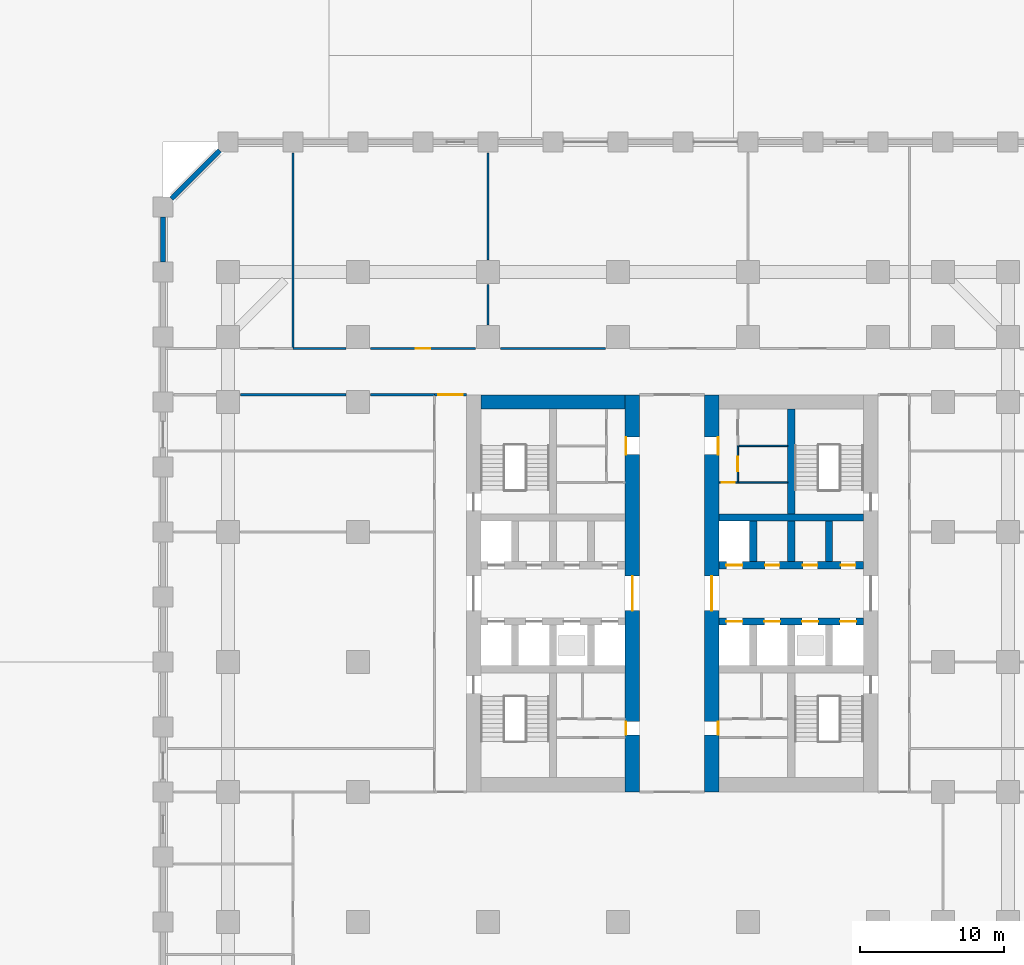
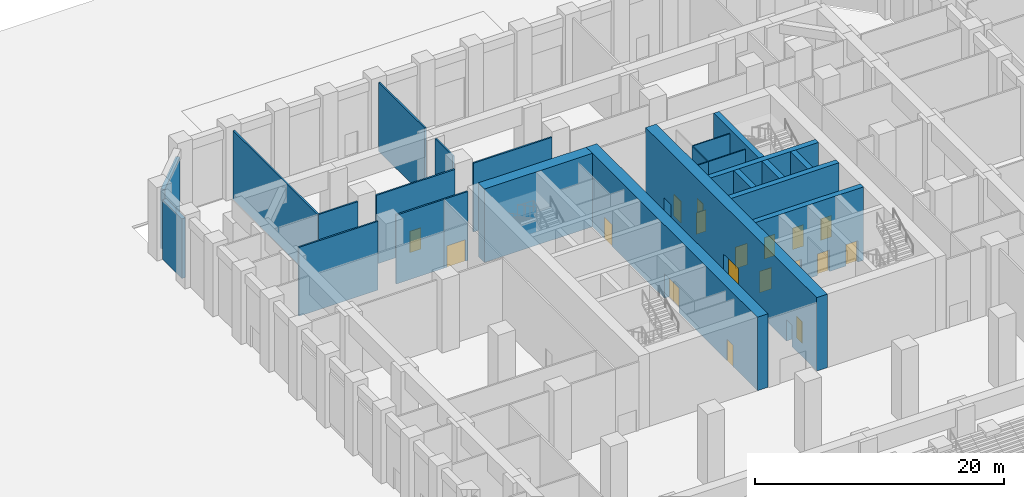
# One storey, part 14 of 30: 25 walls, 18 doors, 18 openings.
"""IFC4 building model written with IfcOpenShell, lengths in metres."""

from ifc_helpers import new_model, si_unit, direction, frame, frame_2d, origin, place, context, subcontext, project, spatial, rectangle, extrude, material, layer, layer_set, type_object, element, fill, save


model = new_model("IFC4")

# Units and contexts
model_context = context("Model", 3, precision=1e-05, world=origin(), true_north=direction((0.0, 1.0)))
body_context = subcontext(model_context, "Body", "Model", "MODEL_VIEW")
ifc_project = project(units=[si_unit("LENGTHUNIT", "METRE"), si_unit("AREAUNIT", "SQUARE_METRE"), si_unit("VOLUMEUNIT", "CUBIC_METRE"), si_unit("PLANEANGLEUNIT", "RADIAN"), si_unit("MASSUNIT", "GRAM", prefix="KILO")], contexts=[model_context])

# Site, building, storey
site_placement = place(None, origin())
site = spatial("IfcSite", under=ifc_project, at=site_placement, CompositionType="ELEMENT")
building_placement = place(site_placement, origin())
building = spatial("IfcBuilding", under=site, at=building_placement, Name="Corbel Stack Research Tower", CompositionType="ELEMENT")
storey_placement = place(building_placement, origin())
storey = spatial("IfcBuildingStorey", under=building, at=storey_placement, Name="L00", CompositionType="ELEMENT", Elevation=0.0)

# Wall, opening, door
ifc_material_1 = material(Name="Concrete block", Category="concrete")
ifc_layer_1 = layer(ifc_material_1, 0.14990234375)
ifc_layer_set_1 = layer_set([ifc_layer_1], Name="Concrete block")
wall_type_1 = type_object("IfcWallType", Name="Base partition 150 L00", PredefinedType="PARTITIONING", material=ifc_layer_set_1)
wall_1_placement = place(storey_placement, frame((-12.699951171875, 18.5, 0.0), z_axis=(0.0, 0.0, 1.0), x_axis=(1.0, 0.0, 0.0)))
wall_1 = element("IfcWall", 1, at=wall_1_placement, inside=storey, type_object=wall_type_1, Name="Partition L00", PredefinedType="PARTITIONING", context=body_context, shape_type="SweptSolid", body=[
    extrude(rectangle(XDim=2.199951171875, YDim=0.14990234375, at=frame_2d((1.10009765625, 0.0))), origin(), (0.0, 0.0, 1.0), 6.75),
])
opening_1_placement = place(wall_1_placement, frame((0.25, 0.0, 0.0)))
opening_1 = element("IfcOpeningElement", 2, at=opening_1_placement, cuts=wall_1, Name="Opening BD-L00-20", PredefinedType="OPENING", context=body_context, shape_type="SweptSolid", body=[
    extrude(rectangle(XDim=1.699951171875, YDim=2.10009765625, at=frame_2d((0.85009765625, 1.050048828125))), frame((0.0, 0.0849609375, 0.0), z_axis=(0.0, -1.0, 0.0), x_axis=(1.0, 0.0, 0.0)), (0.0, 0.0, 1.0), 0.169921875),
])
ifc_material_2 = material(Name="Painted steel fire door", Category="steel")
door_type_1 = type_object("IfcDoorType", Name="Lobby door pair 1700 x 2100 FD30S", OperationType="DOUBLE_DOOR_DOUBLE_SWING", PredefinedType="DOOR", material=ifc_material_2)
door_1_placement = place(opening_1_placement, origin())
door_1 = element("IfcDoor", 3, at=door_1_placement, inside=storey, type_object=door_type_1, Name="Stair vestibule west to Service corridor opening", OperationType="DOUBLE_DOOR_DOUBLE_SWING", OverallHeight=2.10009765625, OverallWidth=1.699951171875, PredefinedType="DOOR", context=body_context, shape_type="SweptSolid", body=[
    extrude(rectangle(XDim=1.699951171875, YDim=2.10009765625, at=frame_2d((0.85009765625, 1.050048828125))), frame((0.0, 0.02490234375, 0.0), z_axis=(0.0, -1.0, 0.0), x_axis=(1.0, 0.0, 0.0)), (0.0, 0.0, 1.0), 0.050048828125),
])
fill(opening_1, door_1)

# Walls
wall_2_placement = place(storey_placement, frame((-17.14990234375, 18.5, 0.0), z_axis=(0.0, 0.0, 1.0), x_axis=(1.0, 0.0, 0.0)))
element("IfcWall", 4, at=wall_2_placement, inside=storey, type_object=wall_type_1, Name="Partition L00", PredefinedType="PARTITIONING", context=body_context, shape_type="SweptSolid", body=[
    extrude(rectangle(XDim=4.449951171875, YDim=0.14990234375, at=frame_2d((2.22509765625, 0.0))), origin(), (0.0, 0.0, 1.0), 6.75),
])
wall_3_placement = place(storey_placement, frame((-26.14990234375, 18.5, 0.0), z_axis=(0.0, 0.0, 1.0), x_axis=(1.0, 0.0, 0.0)))
element("IfcWall", 5, at=wall_3_placement, inside=storey, type_object=wall_type_1, Name="Partition L00", PredefinedType="PARTITIONING", context=body_context, shape_type="SweptSolid", body=[
    extrude(rectangle(XDim=7.2998046875, YDim=0.14990234375, at=frame_2d((3.64990234375, 0.0))), origin(), (0.0, 0.0, 1.0), 6.75),
])

# Wall, opening, door
wall_4_placement = place(storey_placement, frame((-17.14990234375, 21.699951171875, 0.0), z_axis=(0.0, 0.0, 1.0), x_axis=(1.0, 0.0, 0.0)))
wall_4 = element("IfcWall", 6, at=wall_4_placement, inside=storey, type_object=wall_type_1, Name="Partition L00", PredefinedType="PARTITIONING", context=body_context, shape_type="SweptSolid", body=[
    extrude(rectangle(XDim=7.2998046875, YDim=0.14990234375, at=frame_2d((3.64990234375, 0.0))), origin(), (0.0, 0.0, 1.0), 6.75),
])
opening_2_placement = place(wall_4_placement, frame((3.14990234375, 0.0, 0.0)))
opening_2 = element("IfcOpeningElement", 7, at=opening_2_placement, cuts=wall_4, Name="Opening BD-L00-11", PredefinedType="OPENING", context=body_context, shape_type="SweptSolid", body=[
    extrude(rectangle(XDim=1.0, YDim=2.10009765625, at=frame_2d((0.5, 1.050048828125))), frame((0.0, 0.0849609375, 0.0), z_axis=(0.0, -1.0, 0.0), x_axis=(1.0, 0.0, 0.0)), (0.0, 0.0, 1.0), 0.169921875),
])
ifc_material_3 = material(Name="Painted steel door", Category="steel")
door_type_2 = type_object("IfcDoorType", Name="Service door 1000 x 2100 FD60 left hand", OperationType="SINGLE_SWING_LEFT", PredefinedType="DOOR", material=ifc_material_3)
door_2_placement = place(opening_2_placement, origin())
door_2 = element("IfcDoor", 8, at=door_2_placement, inside=storey, type_object=door_type_2, Name="Laboratory consumables store door", OperationType="SINGLE_SWING_LEFT", OverallHeight=2.10009765625, OverallWidth=1.0, PredefinedType="DOOR", context=body_context, shape_type="SweptSolid", body=[
    extrude(rectangle(XDim=1.0, YDim=2.10009765625, at=frame_2d((0.5, 1.050048828125))), frame((0.0, 0.02490234375, 0.0), z_axis=(0.0, -1.0, 0.0), x_axis=(1.0, 0.0, 0.0)), (0.0, 0.0, 1.0), 0.050048828125),
])
fill(opening_2, door_2)

# Walls
wall_5_placement = place(storey_placement, frame((-22.5, 21.699951171875, 0.0), z_axis=(0.0, 0.0, 1.0), x_axis=(1.0, 0.0, 0.0)))
element("IfcWall", 9, at=wall_5_placement, inside=storey, type_object=wall_type_1, Name="Partition L00", PredefinedType="PARTITIONING", context=body_context, shape_type="SweptSolid", body=[
    extrude(rectangle(XDim=3.64990234375, YDim=0.14990234375, at=frame_2d((1.824951171875, 0.0))), origin(), (0.0, 0.0, 1.0), 6.75),
])
wall_6_placement = place(storey_placement, frame((-8.14990234375, 21.699951171875, 0.0), z_axis=(0.0, 0.0, 1.0), x_axis=(1.0, 0.0, 0.0)))
element("IfcWall", 10, at=wall_6_placement, inside=storey, type_object=wall_type_1, Name="Partition L00", PredefinedType="PARTITIONING", context=body_context, shape_type="SweptSolid", body=[
    extrude(rectangle(XDim=7.2998046875, YDim=0.14990234375, at=frame_2d((3.64990234375, 0.0))), origin(), (0.0, 0.0, 1.0), 6.75),
])
wall_7_placement = place(storey_placement, frame((-22.5, 21.699951171875, 0.0), z_axis=(0.0, 0.0, 1.0), x_axis=(0.0, 1.0, 0.0)))
element("IfcWall", 11, at=wall_7_placement, inside=storey, type_object=wall_type_1, Name="Partition L00", PredefinedType="PARTITIONING", context=body_context, shape_type="SweptSolid", body=[
    extrude(rectangle(XDim=13.550048828125, YDim=0.14990234375, at=frame_2d((6.77490234375, 0.0))), origin(), (0.0, 0.0, 1.0), 6.75),
])
wall_8_placement = place(storey_placement, frame((-9.0, 23.35009765625, 0.0), z_axis=(0.0, 0.0, 1.0), x_axis=(0.0, 1.0, 0.0)))
element("IfcWall", 12, at=wall_8_placement, inside=storey, type_object=wall_type_1, Name="Partition L00", PredefinedType="PARTITIONING", context=body_context, shape_type="SweptSolid", body=[
    extrude(rectangle(XDim=2.7998046875, YDim=0.14990234375, at=frame_2d((1.39990234375, 0.0))), origin(), (0.0, 0.0, 1.0), 6.75),
])
wall_9_placement = place(storey_placement, frame((-9.0, 27.85009765625, 0.0), z_axis=(0.0, 0.0, 1.0), x_axis=(0.0, 1.0, 0.0)))
element("IfcWall", 13, at=wall_9_placement, inside=storey, type_object=wall_type_1, Name="Partition L00", PredefinedType="PARTITIONING", context=body_context, shape_type="SweptSolid", body=[
    extrude(rectangle(XDim=7.39990234375, YDim=0.14990234375, at=frame_2d((3.699951171875, 0.0))), origin(), (0.0, 0.0, 1.0), 6.75),
])
ifc_material_4 = material(Name="Concrete C45/55", Category="concrete")
ifc_layer_2 = layer(ifc_material_4, 0.35009765625)
ifc_layer_set_2 = layer_set([ifc_layer_2], Name="Concrete C45/55")
wall_type_2 = type_object("IfcWallType", Name="Board-marked concrete wall 350", PredefinedType="SOLIDWALL", material=ifc_layer_set_2)
wall_10_placement = place(storey_placement, frame((-30.923583984375, 32.076416015625, 0.0), z_axis=(0.0, 0.0, 1.0), x_axis=(0.707106781187, 0.707106781187, 0.0)))
element("IfcWall", 14, at=wall_10_placement, inside=storey, type_object=wall_type_2, Name="Facade wall L00 NW01", PredefinedType="SOLIDWALL", context=body_context, shape_type="SweptSolid", body=[
    extrude(rectangle(XDim=4.733642578125, YDim=0.35009765625, at=frame_2d((2.36669921875, 0.0))), origin(), (0.0, 0.0, 1.0), 5.85009765625),
])
wall_11_placement = place(storey_placement, frame((-31.5, 27.699951171875, 0.0), z_axis=(0.0, 0.0, 1.0), x_axis=(0.0, 1.0, 0.0)))
element("IfcWall", 15, at=wall_11_placement, inside=storey, type_object=wall_type_2, Name="Facade wall L00 W01", PredefinedType="SOLIDWALL", context=body_context, shape_type="SweptSolid", body=[
    extrude(rectangle(XDim=3.10009765625, YDim=0.35009765625, at=frame_2d((1.550048828125, 0.0))), origin(), (0.0, 0.0, 1.0), 5.85009765625),
])

# Wall, openings, doors
ifc_material_5 = material(Name="Concrete C70/85", Category="concrete")
ifc_layer_3 = layer(ifc_material_5, 1.0)
ifc_layer_set_3 = layer_set([ifc_layer_3], Name="Concrete C70/85")
wall_type_3 = type_object("IfcWallType", Name="CW-1000-70", PredefinedType="SHEAR", material=ifc_layer_set_3)
wall_12_placement = place(storey_placement, frame((1.0, -9.0, 0.0), z_axis=(0.0, 0.0, 1.0), x_axis=(0.0, 1.0, 0.0)))
wall_12 = element("IfcWall", 16, at=wall_12_placement, inside=storey, type_object=wall_type_3, Name="West core wall, east face L00", PredefinedType="SHEAR", context=body_context, shape_type="SweptSolid", body=[
    extrude(rectangle(XDim=27.5, YDim=1.0, at=frame_2d((13.75, 0.0))), origin(), (0.0, 0.0, 1.0), 7.199951171875),
])
opening_3_placement = place(wall_12_placement, frame((12.550048828125, 0.0, 0.0)))
opening_3 = element("IfcOpeningElement", 17, at=opening_3_placement, cuts=wall_12, Name="Opening CD-W-E", PredefinedType="OPENING", context=body_context, shape_type="SweptSolid", body=[
    extrude(rectangle(XDim=2.39990234375, YDim=2.39990234375, at=frame_2d((1.199951171875, 1.199951171875))), frame((0.0, 0.510009765625, 0.0), z_axis=(0.0, -1.0, 0.0), x_axis=(1.0, 0.0, 0.0)), (0.0, 0.0, 1.0), 1.02001953125),
])
opening_4_placement = place(wall_12_placement, frame((3.955078125, 0.0, 0.0)))
opening_4 = element("IfcOpeningElement", 18, at=opening_4_placement, cuts=wall_12, Name="Opening CR-W24-W1-905", PredefinedType="OPENING", context=body_context, shape_type="SweptSolid", body=[
    extrude(rectangle(XDim=0.905029296875, YDim=2.10009765625, at=frame_2d((0.45263671875, 1.050048828125))), frame((0.0, 0.510009765625, 0.0), z_axis=(0.0, -1.0, 0.0), x_axis=(1.0, 0.0, 0.0)), (0.0, 0.0, 1.0), 1.02001953125),
])
opening_5_placement = place(wall_12_placement, frame((23.362548828125, 0.0, 0.0)))
opening_5 = element("IfcOpeningElement", 19, at=opening_5_placement, cuts=wall_12, Name="Opening CR-W24-R2-1200", PredefinedType="OPENING", context=body_context, shape_type="SweptSolid", body=[
    extrude(rectangle(XDim=1.199951171875, YDim=2.10009765625, at=frame_2d((0.60009765625, 1.050048828125))), frame((0.0, 0.510009765625, 0.0), z_axis=(0.0, -1.0, 0.0), x_axis=(1.0, 0.0, 0.0)), (0.0, 0.0, 1.0), 1.02001953125),
])
ifc_material_6 = material(Name="Painted steel fire door", Category="steel")
door_type_3 = type_object("IfcDoorType", Name="Lobby door pair 2400 x 2400 FD30S", OperationType="DOUBLE_DOOR_DOUBLE_SWING", PredefinedType="DOOR", material=ifc_material_6)
door_3_placement = place(opening_3_placement, origin())
door_3 = element("IfcDoor", 20, at=door_3_placement, inside=storey, type_object=door_type_3, Name="Lift lobby door W core E", OperationType="DOUBLE_DOOR_DOUBLE_SWING", OverallHeight=2.39990234375, OverallWidth=2.39990234375, PredefinedType="DOOR", context=body_context, shape_type="SweptSolid", body=[
    extrude(rectangle(XDim=2.39990234375, YDim=2.39990234375, at=frame_2d((1.199951171875, 1.199951171875))), frame((0.0, 0.02490234375, 0.0), z_axis=(0.0, -1.0, 0.0), x_axis=(1.0, 0.0, 0.0)), (0.0, 0.0, 1.0), 0.050048828125),
])
fill(opening_3, door_3)
ifc_material_7 = material(Name="Painted steel door", Category="steel")
door_type_4 = type_object("IfcDoorType", Name="Service door 1200 x 2100 FD30 right hand", OperationType="SINGLE_SWING_RIGHT", PredefinedType="DOOR", material=ifc_material_7)
door_4_placement = place(opening_5_placement, origin())
door_4 = element("IfcDoor", 21, at=door_4_placement, inside=storey, type_object=door_type_4, Name="Service passage door W core", OperationType="SINGLE_SWING_RIGHT", OverallHeight=2.10009765625, OverallWidth=1.199951171875, PredefinedType="DOOR", context=body_context, shape_type="SweptSolid", body=[
    extrude(rectangle(XDim=1.199951171875, YDim=2.10009765625, at=frame_2d((0.60009765625, 1.050048828125))), frame((0.0, 0.47509765625, 0.0), z_axis=(0.0, -1.0, 0.0), x_axis=(1.0, 0.0, 0.0)), (0.0, 0.0, 1.0), 0.050048828125),
])
fill(opening_5, door_4)
ifc_material_8 = material(Name="Painted timber door", Category="wood")
door_type_5 = type_object("IfcDoorType", Name="WC door 905 x 2100 left hand", OperationType="SINGLE_SWING_LEFT", PredefinedType="DOOR", material=ifc_material_8)
door_5_placement = place(opening_4_placement, origin())
door_5 = element("IfcDoor", 22, at=door_5_placement, inside=storey, type_object=door_type_5, Name="WC lobby door W core", OperationType="SINGLE_SWING_LEFT", OverallHeight=2.10009765625, OverallWidth=0.905029296875, PredefinedType="DOOR", context=body_context, shape_type="SweptSolid", body=[
    extrude(rectangle(XDim=0.905029296875, YDim=2.10009765625, at=frame_2d((0.45263671875, 1.050048828125))), frame((0.0, 0.47509765625, 0.0), z_axis=(0.0, -1.0, 0.0), x_axis=(1.0, 0.0, 0.0)), (0.0, 0.0, 1.0), 0.050048828125),
])
fill(opening_4, door_5)

# Wall
wall_13_placement = place(storey_placement, frame((-9.5, 18.0, 0.0), z_axis=(0.0, 0.0, 1.0), x_axis=(1.0, 0.0, 0.0)))
element("IfcWall", 23, at=wall_13_placement, inside=storey, type_object=wall_type_3, Name="West core wall, north end L00", PredefinedType="SHEAR", context=body_context, shape_type="SweptSolid", body=[
    extrude(rectangle(XDim=10.0, YDim=1.0, at=frame_2d((5.0, 0.0))), origin(), (0.0, 0.0, 1.0), 7.199951171875),
])

# Wall, openings, doors
wall_14_placement = place(storey_placement, frame((6.5, -9.0, 0.0), z_axis=(0.0, 0.0, 1.0), x_axis=(0.0, 1.0, 0.0)))
wall_14 = element("IfcWall", 24, at=wall_14_placement, inside=storey, type_object=wall_type_3, Name="East core wall, west face L00", PredefinedType="SHEAR", context=body_context, shape_type="SweptSolid", body=[
    extrude(rectangle(XDim=27.5, YDim=1.0, at=frame_2d((13.75, 0.0))), origin(), (0.0, 0.0, 1.0), 7.199951171875),
])
opening_6_placement = place(wall_14_placement, frame((12.550048828125, 0.0, 0.0)))
opening_6 = element("IfcOpeningElement", 25, at=opening_6_placement, cuts=wall_14, Name="Opening CD-E-W", PredefinedType="OPENING", context=body_context, shape_type="SweptSolid", body=[
    extrude(rectangle(XDim=2.39990234375, YDim=2.39990234375, at=frame_2d((1.199951171875, 1.199951171875))), frame((0.0, 0.510009765625, 0.0), z_axis=(0.0, -1.0, 0.0), x_axis=(1.0, 0.0, 0.0)), (0.0, 0.0, 1.0), 1.02001953125),
])
opening_7_placement = place(wall_14_placement, frame((3.955078125, 0.0, 0.0)))
opening_7 = element("IfcOpeningElement", 26, at=opening_7_placement, cuts=wall_14, Name="Opening CR-E24-W1-905", PredefinedType="OPENING", context=body_context, shape_type="SweptSolid", body=[
    extrude(rectangle(XDim=0.905029296875, YDim=2.10009765625, at=frame_2d((0.45263671875, 1.050048828125))), frame((0.0, 0.510009765625, 0.0), z_axis=(0.0, -1.0, 0.0), x_axis=(1.0, 0.0, 0.0)), (0.0, 0.0, 1.0), 1.02001953125),
])
opening_8_placement = place(wall_14_placement, frame((23.362548828125, 0.0, 0.0)))
opening_8 = element("IfcOpeningElement", 27, at=opening_8_placement, cuts=wall_14, Name="Opening CR-E24-R2-1200", PredefinedType="OPENING", context=body_context, shape_type="SweptSolid", body=[
    extrude(rectangle(XDim=1.199951171875, YDim=2.10009765625, at=frame_2d((0.60009765625, 1.050048828125))), frame((0.0, 0.510009765625, 0.0), z_axis=(0.0, -1.0, 0.0), x_axis=(1.0, 0.0, 0.0)), (0.0, 0.0, 1.0), 1.02001953125),
])
door_6_placement = place(opening_6_placement, origin())
door_6 = element("IfcDoor", 28, at=door_6_placement, inside=storey, type_object=door_type_3, Name="Lift lobby door E core W", OperationType="DOUBLE_DOOR_DOUBLE_SWING", OverallHeight=2.39990234375, OverallWidth=2.39990234375, PredefinedType="DOOR", context=body_context, shape_type="SweptSolid", body=[
    extrude(rectangle(XDim=2.39990234375, YDim=2.39990234375, at=frame_2d((1.199951171875, 1.199951171875))), frame((0.0, 0.02490234375, 0.0), z_axis=(0.0, -1.0, 0.0), x_axis=(1.0, 0.0, 0.0)), (0.0, 0.0, 1.0), 0.050048828125),
])
fill(opening_6, door_6)
ifc_material_9 = material(Name="Painted steel door", Category="steel")
door_type_6 = type_object("IfcDoorType", Name="Service door 1200 x 2100 FD30 left hand", OperationType="SINGLE_SWING_LEFT", PredefinedType="DOOR", material=ifc_material_9)
door_7_placement = place(opening_8_placement, origin())
door_7 = element("IfcDoor", 29, at=door_7_placement, inside=storey, type_object=door_type_6, Name="Service passage door E core", OperationType="SINGLE_SWING_LEFT", OverallHeight=2.10009765625, OverallWidth=1.199951171875, PredefinedType="DOOR", context=body_context, shape_type="SweptSolid", body=[
    extrude(rectangle(XDim=1.199951171875, YDim=2.10009765625, at=frame_2d((0.60009765625, 1.050048828125))), frame((0.0, -0.4248046875, 0.0), z_axis=(0.0, -1.0, 0.0), x_axis=(1.0, 0.0, 0.0)), (0.0, 0.0, 1.0), 0.050048828125),
])
fill(opening_8, door_7)
ifc_material_10 = material(Name="Painted timber door", Category="wood")
door_type_7 = type_object("IfcDoorType", Name="WC door 905 x 2100 right hand", OperationType="SINGLE_SWING_RIGHT", PredefinedType="DOOR", material=ifc_material_10)
door_8_placement = place(opening_7_placement, origin())
door_8 = element("IfcDoor", 30, at=door_8_placement, inside=storey, type_object=door_type_7, Name="WC lobby door E core", OperationType="SINGLE_SWING_RIGHT", OverallHeight=2.10009765625, OverallWidth=0.905029296875, PredefinedType="DOOR", context=body_context, shape_type="SweptSolid", body=[
    extrude(rectangle(XDim=0.905029296875, YDim=2.10009765625, at=frame_2d((0.45263671875, 1.050048828125))), frame((0.0, -0.4248046875, 0.0), z_axis=(0.0, -1.0, 0.0), x_axis=(1.0, 0.0, 0.0)), (0.0, 0.0, 1.0), 0.050048828125),
])
fill(opening_7, door_8)

ifc_material_11 = material(Name="Concrete C70/85", Category="concrete")
ifc_layer_4 = layer(ifc_material_11, 0.5)
ifc_layer_set_4 = layer_set([ifc_layer_4], Name="Concrete C70/85")
wall_type_4 = type_object("IfcWallType", Name="CW-500-70", PredefinedType="SHEAR", material=ifc_layer_set_4)
wall_15_placement = place(storey_placement, frame((7.0, 2.800048828125, 0.0), z_axis=(0.0, 0.0, 1.0), x_axis=(1.0, 0.0, 0.0)))
wall_15 = element("IfcWall", 31, at=wall_15_placement, inside=storey, type_object=wall_type_4, Name="East core wall, lobby south L00", PredefinedType="SHEAR", context=body_context, shape_type="SweptSolid", body=[
    extrude(rectangle(XDim=10.0, YDim=0.5, at=frame_2d((5.0, 0.0))), origin(), (0.0, 0.0, 1.0), 7.199951171875),
])
opening_9_placement = place(wall_15_placement, frame((0.512451171875, 0.0, 0.0)))
opening_9 = element("IfcOpeningElement", 32, at=opening_9_placement, cuts=wall_15, Name="Opening LD-FS2", PredefinedType="OPENING", context=body_context, shape_type="SweptSolid", body=[
    extrude(rectangle(XDim=1.10009765625, YDim=2.10009765625, at=frame_2d((0.550048828125, 1.050048828125))), frame((0.0, 0.260009765625, 0.0), z_axis=(0.0, -1.0, 0.0), x_axis=(1.0, 0.0, 0.0)), (0.0, 0.0, 1.0), 0.52001953125),
])
opening_10_placement = place(wall_15_placement, frame((3.137451171875, 0.0, 0.0)))
opening_10 = element("IfcOpeningElement", 33, at=opening_10_placement, cuts=wall_15, Name="Opening LD-GL2", PredefinedType="OPENING", context=body_context, shape_type="SweptSolid", body=[
    extrude(rectangle(XDim=1.10009765625, YDim=2.10009765625, at=frame_2d((0.550048828125, 1.050048828125))), frame((0.0, 0.260009765625, 0.0), z_axis=(0.0, -1.0, 0.0), x_axis=(1.0, 0.0, 0.0)), (0.0, 0.0, 1.0), 0.52001953125),
])
opening_11_placement = place(wall_15_placement, frame((5.762451171875, 0.0, 0.0)))
opening_11 = element("IfcOpeningElement", 34, at=opening_11_placement, cuts=wall_15, Name="Opening LD-SH2", PredefinedType="OPENING", context=body_context, shape_type="SweptSolid", body=[
    extrude(rectangle(XDim=1.10009765625, YDim=2.10009765625, at=frame_2d((0.550048828125, 1.050048828125))), frame((0.0, 0.260009765625, 0.0), z_axis=(0.0, -1.0, 0.0), x_axis=(1.0, 0.0, 0.0)), (0.0, 0.0, 1.0), 0.52001953125),
])
opening_12_placement = place(wall_15_placement, frame((8.387451171875, 0.0, 0.0)))
opening_12 = element("IfcOpeningElement", 35, at=opening_12_placement, cuts=wall_15, Name="Opening LD-LR3", PredefinedType="OPENING", context=body_context, shape_type="SweptSolid", body=[
    extrude(rectangle(XDim=1.10009765625, YDim=2.10009765625, at=frame_2d((0.550048828125, 1.050048828125))), frame((0.0, 0.260009765625, 0.0), z_axis=(0.0, -1.0, 0.0), x_axis=(1.0, 0.0, 0.0)), (0.0, 0.0, 1.0), 0.52001953125),
])
ifc_material_12 = material(Name="Stainless steel landing door", Category="steel")
door_type_8 = type_object("IfcDoorType", Name="Lift landing door 1100 x 2100", OperationType="DOUBLE_DOOR_SLIDING", PredefinedType="DOOR", material=ifc_material_12)
door_9_placement = place(opening_9_placement, origin())
door_9 = element("IfcDoor", 36, at=door_9_placement, inside=storey, type_object=door_type_8, Name="Landing door FS2", OperationType="DOUBLE_DOOR_SLIDING", OverallHeight=2.10009765625, OverallWidth=1.10009765625, PredefinedType="DOOR", context=body_context, shape_type="SweptSolid", body=[
    extrude(rectangle(XDim=1.10009765625, YDim=2.10009765625, at=frame_2d((0.550048828125, 1.050048828125))), frame((0.0, 0.02490234375, 0.0), z_axis=(0.0, -1.0, 0.0), x_axis=(1.0, 0.0, 0.0)), (0.0, 0.0, 1.0), 0.050048828125),
])
fill(opening_9, door_9)
door_10_placement = place(opening_10_placement, origin())
door_10 = element("IfcDoor", 37, at=door_10_placement, inside=storey, type_object=door_type_8, Name="Landing door GL2", OperationType="DOUBLE_DOOR_SLIDING", OverallHeight=2.10009765625, OverallWidth=1.10009765625, PredefinedType="DOOR", context=body_context, shape_type="SweptSolid", body=[
    extrude(rectangle(XDim=1.10009765625, YDim=2.10009765625, at=frame_2d((0.550048828125, 1.050048828125))), frame((0.0, 0.02490234375, 0.0), z_axis=(0.0, -1.0, 0.0), x_axis=(1.0, 0.0, 0.0)), (0.0, 0.0, 1.0), 0.050048828125),
])
fill(opening_10, door_10)
door_11_placement = place(opening_11_placement, origin())
door_11 = element("IfcDoor", 38, at=door_11_placement, inside=storey, type_object=door_type_8, Name="Landing door SH2", OperationType="DOUBLE_DOOR_SLIDING", OverallHeight=2.10009765625, OverallWidth=1.10009765625, PredefinedType="DOOR", context=body_context, shape_type="SweptSolid", body=[
    extrude(rectangle(XDim=1.10009765625, YDim=2.10009765625, at=frame_2d((0.550048828125, 1.050048828125))), frame((0.0, 0.02490234375, 0.0), z_axis=(0.0, -1.0, 0.0), x_axis=(1.0, 0.0, 0.0)), (0.0, 0.0, 1.0), 0.050048828125),
])
fill(opening_11, door_11)
door_12_placement = place(opening_12_placement, origin())
door_12 = element("IfcDoor", 39, at=door_12_placement, inside=storey, type_object=door_type_8, Name="Landing door LR3", OperationType="DOUBLE_DOOR_SLIDING", OverallHeight=2.10009765625, OverallWidth=1.10009765625, PredefinedType="DOOR", context=body_context, shape_type="SweptSolid", body=[
    extrude(rectangle(XDim=1.10009765625, YDim=2.10009765625, at=frame_2d((0.550048828125, 1.050048828125))), frame((0.0, 0.02490234375, 0.0), z_axis=(0.0, -1.0, 0.0), x_axis=(1.0, 0.0, 0.0)), (0.0, 0.0, 1.0), 0.050048828125),
])
fill(opening_12, door_12)

wall_16_placement = place(storey_placement, frame((7.0, 6.699951171875, 0.0), z_axis=(0.0, 0.0, 1.0), x_axis=(1.0, 0.0, 0.0)))
wall_16 = element("IfcWall", 40, at=wall_16_placement, inside=storey, type_object=wall_type_4, Name="East core wall, lobby north L00", PredefinedType="SHEAR", context=body_context, shape_type="SweptSolid", body=[
    extrude(rectangle(XDim=10.0, YDim=0.5, at=frame_2d((5.0, 0.0))), origin(), (0.0, 0.0, 1.0), 7.199951171875),
])
opening_13_placement = place(wall_16_placement, frame((0.512451171875, 0.0, 0.0)))
opening_13 = element("IfcOpeningElement", 41, at=opening_13_placement, cuts=wall_16, Name="Opening LD-LR4", PredefinedType="OPENING", context=body_context, shape_type="SweptSolid", body=[
    extrude(rectangle(XDim=1.10009765625, YDim=2.10009765625, at=frame_2d((0.550048828125, 1.050048828125))), frame((0.0, 0.260009765625, 0.0), z_axis=(0.0, -1.0, 0.0), x_axis=(1.0, 0.0, 0.0)), (0.0, 0.0, 1.0), 0.52001953125),
])
opening_14_placement = place(wall_16_placement, frame((3.1875, 0.0, 0.0)))
opening_14 = element("IfcOpeningElement", 42, at=opening_14_placement, cuts=wall_16, Name="Opening CR-E24-N2", PredefinedType="OPENING", context=body_context, shape_type="SweptSolid", body=[
    extrude(rectangle(XDim=1.0, YDim=2.10009765625, at=frame_2d((0.5, 1.050048828125))), frame((0.0, 0.260009765625, 0.0), z_axis=(0.0, -1.0, 0.0), x_axis=(1.0, 0.0, 0.0)), (0.0, 0.0, 1.0), 0.52001953125),
])
opening_15_placement = place(wall_16_placement, frame((5.8125, 0.0, 0.0)))
opening_15 = element("IfcOpeningElement", 43, at=opening_15_placement, cuts=wall_16, Name="Opening CR-E24-N3", PredefinedType="OPENING", context=body_context, shape_type="SweptSolid", body=[
    extrude(rectangle(XDim=1.0, YDim=2.10009765625, at=frame_2d((0.5, 1.050048828125))), frame((0.0, 0.260009765625, 0.0), z_axis=(0.0, -1.0, 0.0), x_axis=(1.0, 0.0, 0.0)), (0.0, 0.0, 1.0), 0.52001953125),
])
opening_16_placement = place(wall_16_placement, frame((8.4375, 0.0, 0.0)))
opening_16 = element("IfcOpeningElement", 44, at=opening_16_placement, cuts=wall_16, Name="Opening CR-E24-N4", PredefinedType="OPENING", context=body_context, shape_type="SweptSolid", body=[
    extrude(rectangle(XDim=1.0, YDim=2.10009765625, at=frame_2d((0.5, 1.050048828125))), frame((0.0, 0.260009765625, 0.0), z_axis=(0.0, -1.0, 0.0), x_axis=(1.0, 0.0, 0.0)), (0.0, 0.0, 1.0), 0.52001953125),
])
door_13_placement = place(opening_13_placement, origin())
door_13 = element("IfcDoor", 45, at=door_13_placement, inside=storey, type_object=door_type_8, Name="Landing door LR4", OperationType="DOUBLE_DOOR_SLIDING", OverallHeight=2.10009765625, OverallWidth=1.10009765625, PredefinedType="DOOR", context=body_context, shape_type="SweptSolid", body=[
    extrude(rectangle(XDim=1.10009765625, YDim=2.10009765625, at=frame_2d((0.550048828125, 1.050048828125))), frame((0.0, 0.02490234375, 0.0), z_axis=(0.0, -1.0, 0.0), x_axis=(1.0, 0.0, 0.0)), (0.0, 0.0, 1.0), 0.050048828125),
])
fill(opening_13, door_13)
door_14_placement = place(opening_15_placement, origin())
door_14 = element("IfcDoor", 46, at=door_14_placement, inside=storey, type_object=door_type_2, Name="Compressor room door E core", OperationType="SINGLE_SWING_LEFT", OverallHeight=2.10009765625, OverallWidth=1.0, PredefinedType="DOOR", context=body_context, shape_type="SweptSolid", body=[
    extrude(rectangle(XDim=1.0, YDim=2.10009765625, at=frame_2d((0.5, 1.050048828125))), frame((0.0, 0.02490234375, 0.0), z_axis=(0.0, -1.0, 0.0), x_axis=(1.0, 0.0, 0.0)), (0.0, 0.0, 1.0), 0.050048828125),
])
fill(opening_15, door_14)
ifc_material_13 = material(Name="Painted steel door", Category="steel")
door_type_9 = type_object("IfcDoorType", Name="Service door 1000 x 2100 FD60 right hand", OperationType="SINGLE_SWING_RIGHT", PredefinedType="DOOR", material=ifc_material_13)
door_15_placement = place(opening_14_placement, origin())
door_15 = element("IfcDoor", 47, at=door_15_placement, inside=storey, type_object=door_type_9, Name="Electrical switch room door E core", OperationType="SINGLE_SWING_RIGHT", OverallHeight=2.10009765625, OverallWidth=1.0, PredefinedType="DOOR", context=body_context, shape_type="SweptSolid", body=[
    extrude(rectangle(XDim=1.0, YDim=2.10009765625, at=frame_2d((0.5, 1.050048828125))), frame((0.0, 0.02490234375, 0.0), z_axis=(0.0, -1.0, 0.0), x_axis=(1.0, 0.0, 0.0)), (0.0, 0.0, 1.0), 0.050048828125),
])
fill(opening_14, door_15)
door_16_placement = place(opening_16_placement, origin())
door_16 = element("IfcDoor", 48, at=door_16_placement, inside=storey, type_object=door_type_9, Name="Chemical waste store door E core", OperationType="SINGLE_SWING_RIGHT", OverallHeight=2.10009765625, OverallWidth=1.0, PredefinedType="DOOR", context=body_context, shape_type="SweptSolid", body=[
    extrude(rectangle(XDim=1.0, YDim=2.10009765625, at=frame_2d((0.5, 1.050048828125))), frame((0.0, 0.02490234375, 0.0), z_axis=(0.0, -1.0, 0.0), x_axis=(1.0, 0.0, 0.0)), (0.0, 0.0, 1.0), 0.050048828125),
])
fill(opening_16, door_16)

# Walls
wall_17_placement = place(storey_placement, frame((7.0, 10.0, 0.0), z_axis=(0.0, 0.0, 1.0), x_axis=(1.0, 0.0, 0.0)))
element("IfcWall", 49, at=wall_17_placement, inside=storey, type_object=wall_type_4, Name="East core wall, north row back L00", PredefinedType="SHEAR", context=body_context, shape_type="SweptSolid", body=[
    extrude(rectangle(XDim=10.0, YDim=0.5, at=frame_2d((5.0, 0.0))), origin(), (0.0, 0.0, 1.0), 7.199951171875),
])
for number, where, z_axis, x_axis, name in (
    (50, (9.375, 6.949951171875, 0.0), (0.0, 0.0, 1.0), (0.0, 1.0, 0.0), "East core wall, north shaft 1 L00"),
    (51, (12.0, 6.949951171875, 0.0), (0.0, 0.0, 1.0), (0.0, 1.0, 0.0), "East core wall, north shaft 2 L00"),
    (52, (14.625, 6.949951171875, 0.0), (0.0, 0.0, 1.0), (0.0, 1.0, 0.0), "East core wall, north shaft 3 L00"),
):
    element("IfcWall", number, at=place(storey_placement, frame(where, z_axis=z_axis, x_axis=x_axis)), inside=storey, type_object=wall_type_4, Name=name, PredefinedType="SHEAR", context=body_context, shape_type="SweptSolid", body=[
        extrude(rectangle(XDim=2.800048828125, YDim=0.5, at=frame_2d((1.39990234375, 0.0))), origin(), (0.0, 0.0, 1.0), 7.199951171875),
    ])
wall_18_placement = place(storey_placement, frame((12.0, 10.25, 0.0), z_axis=(0.0, 0.0, 1.0), x_axis=(0.0, 1.0, 0.0)))
element("IfcWall", 53, at=wall_18_placement, inside=storey, type_object=wall_type_4, Name="East core wall, north stair and riser L00", PredefinedType="SHEAR", context=body_context, shape_type="SweptSolid", body=[
    extrude(rectangle(XDim=7.25, YDim=0.5, at=frame_2d((3.625, 0.0))), origin(), (0.0, 0.0, 1.0), 7.199951171875),
])

# Wall, opening, door
ifc_material_14 = material(Name="Gypsum board")
ifc_layer_5 = layer(ifc_material_14, 0.10009765625)
ifc_layer_set_5 = layer_set([ifc_layer_5], Name="Gypsum board")
wall_type_5 = type_object("IfcWallType", Name="Core partition 100", PredefinedType="PARTITIONING", material=ifc_layer_set_5)
wall_19_placement = place(storey_placement, frame((7.0, 12.425048828125, 0.0), z_axis=(0.0, 0.0, 1.0), x_axis=(1.0, 0.0, 0.0)))
wall_19 = element("IfcWall", 54, at=wall_19_placement, inside=storey, type_object=wall_type_5, Name="Core partition E", PredefinedType="PARTITIONING", context=body_context, shape_type="SweptSolid", body=[
    extrude(rectangle(XDim=1.300048828125, YDim=0.10009765625, at=frame_2d((0.64990234375, 0.0))), origin(), (0.0, 0.0, 1.0), 6.75),
])
opening_17_placement = place(wall_19_placement, frame((0.199951171875, 0.0, 0.0)))
opening_17 = element("IfcOpeningElement", 55, at=opening_17_placement, cuts=wall_19, Name="Opening CR-E24-R1-900", PredefinedType="OPENING", context=body_context, shape_type="SweptSolid", body=[
    extrude(rectangle(XDim=0.89990234375, YDim=2.10009765625, at=frame_2d((0.449951171875, 1.050048828125))), frame((0.0, 0.06005859375, 0.0), z_axis=(0.0, -1.0, 0.0), x_axis=(1.0, 0.0, 0.0)), (0.0, 0.0, 1.0), 0.1201171875),
])
ifc_material_15 = material(Name="Painted steel door", Category="steel")
door_type_10 = type_object("IfcDoorType", Name="Riser door 900 x 2100 FD60 right hand", OperationType="SINGLE_SWING_RIGHT", PredefinedType="DOOR", material=ifc_material_15)
door_17_placement = place(opening_17_placement, origin())
door_17 = element("IfcDoor", 56, at=door_17_placement, inside=storey, type_object=door_type_10, Name="Electrical riser door E core", OperationType="SINGLE_SWING_RIGHT", OverallHeight=2.10009765625, OverallWidth=0.89990234375, PredefinedType="DOOR", context=body_context, shape_type="SweptSolid", body=[
    extrude(rectangle(XDim=0.89990234375, YDim=2.10009765625, at=frame_2d((0.449951171875, 1.050048828125))), frame((0.0, 0.02490234375, 0.0), z_axis=(0.0, -1.0, 0.0), x_axis=(1.0, 0.0, 0.0)), (0.0, 0.0, 1.0), 0.050048828125),
])
fill(opening_17, door_17)

# Wall
wall_20_placement = place(storey_placement, frame((8.300048828125, 12.425048828125, 0.0), z_axis=(0.0, 0.0, 1.0), x_axis=(1.0, 0.0, 0.0)))
element("IfcWall", 57, at=wall_20_placement, inside=storey, type_object=wall_type_5, Name="Core partition E", PredefinedType="PARTITIONING", context=body_context, shape_type="SweptSolid", body=[
    extrude(rectangle(XDim=3.449951171875, YDim=0.10009765625, at=frame_2d((1.72509765625, 0.0))), origin(), (0.0, 0.0, 1.0), 6.75),
])

# Wall, opening, door
wall_21_placement = place(storey_placement, frame((8.300048828125, 12.425048828125, 0.0), z_axis=(0.0, 0.0, 1.0), x_axis=(0.0, 1.0, 0.0)))
wall_21 = element("IfcWall", 58, at=wall_21_placement, inside=storey, type_object=wall_type_5, Name="Core partition E", PredefinedType="PARTITIONING", context=body_context, shape_type="SweptSolid", body=[
    extrude(rectangle(XDim=2.537353515625, YDim=0.10009765625, at=frame_2d((1.2685546875, 0.0))), origin(), (0.0, 0.0, 1.0), 6.75),
])
opening_18_placement = place(wall_21_placement, frame((0.768798828125, 0.0, 0.0)))
opening_18 = element("IfcOpeningElement", 59, at=opening_18_placement, cuts=wall_21, Name="Opening CR-E24-R3-1000", PredefinedType="OPENING", context=body_context, shape_type="SweptSolid", body=[
    extrude(rectangle(XDim=1.0, YDim=2.10009765625, at=frame_2d((0.5, 1.050048828125))), frame((0.0, 0.06005859375, 0.0), z_axis=(0.0, -1.0, 0.0), x_axis=(1.0, 0.0, 0.0)), (0.0, 0.0, 1.0), 0.1201171875),
])
ifc_material_16 = material(Name="Painted steel door", Category="steel")
door_type_11 = type_object("IfcDoorType", Name="Service door 1000 x 2100 FD30 right hand", OperationType="SINGLE_SWING_RIGHT", PredefinedType="DOOR", material=ifc_material_16)
door_18_placement = place(opening_18_placement, origin())
door_18 = element("IfcDoor", 60, at=door_18_placement, inside=storey, type_object=door_type_11, Name="Pantry door E core", OperationType="SINGLE_SWING_RIGHT", OverallHeight=2.10009765625, OverallWidth=1.0, PredefinedType="DOOR", context=body_context, shape_type="SweptSolid", body=[
    extrude(rectangle(XDim=1.0, YDim=2.10009765625, at=frame_2d((0.5, 1.050048828125))), frame((0.0, 0.02490234375, 0.0), z_axis=(0.0, -1.0, 0.0), x_axis=(1.0, 0.0, 0.0)), (0.0, 0.0, 1.0), 0.050048828125),
])
fill(opening_18, door_18)

# Wall
wall_22_placement = place(storey_placement, frame((8.300048828125, 14.96240234375, 0.0), z_axis=(0.0, 0.0, 1.0), x_axis=(1.0, 0.0, 0.0)))
element("IfcWall", 61, at=wall_22_placement, inside=storey, type_object=wall_type_5, Name="Core partition E", PredefinedType="PARTITIONING", context=body_context, shape_type="SweptSolid", body=[
    extrude(rectangle(XDim=3.449951171875, YDim=0.10009765625, at=frame_2d((1.72509765625, 0.0))), origin(), (0.0, 0.0, 1.0), 6.75),
])

save(model, "model.ifc")
